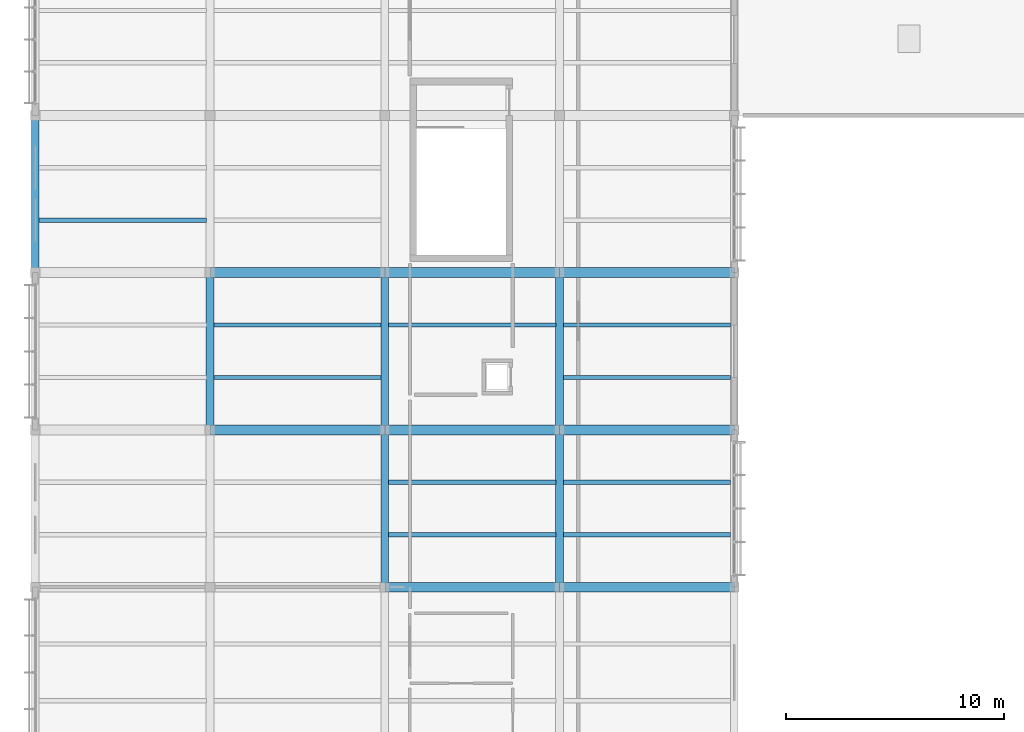
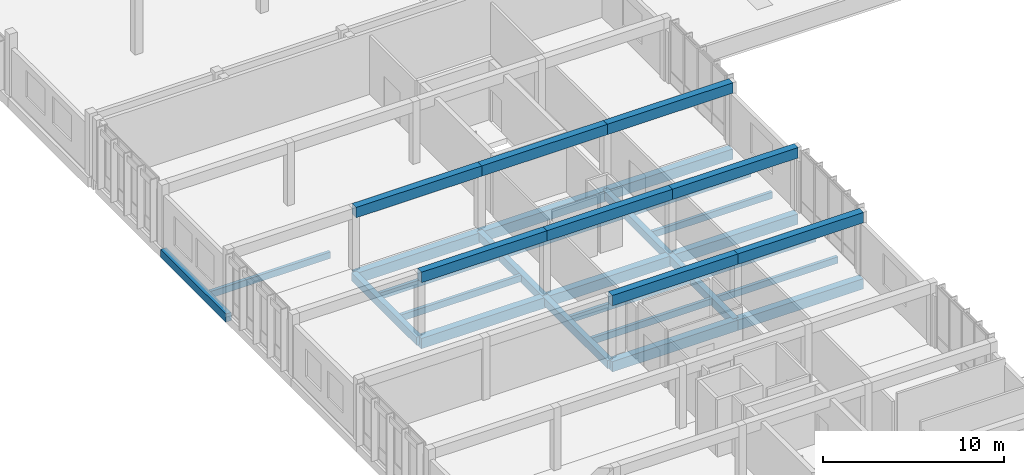
# One storey, part 24 of 107: 32 beams.
"""IFC4 building model written with IfcOpenShell, lengths in metres."""

from ifc_helpers import new_model, si_unit, direction, frame, origin, origin_2d, place, context, subcontext, project, spatial, rectangle, extrude, material, material_profile, profile_set, type_object, element, save


model = new_model("IFC4")

# Units and contexts
model_context = context("Model", 3, precision=1e-05, world=origin(), true_north=direction((0.0, 1.0)))
body_context = subcontext(model_context, "Body", "Model", "MODEL_VIEW")
ifc_project = project(units=[si_unit("LENGTHUNIT", "METRE"), si_unit("AREAUNIT", "SQUARE_METRE"), si_unit("VOLUMEUNIT", "CUBIC_METRE"), si_unit("PLANEANGLEUNIT", "RADIAN"), si_unit("MASSUNIT", "GRAM", prefix="KILO")], contexts=[model_context])

# Site, building, storey
site_placement = place(None, origin())
site = spatial("IfcSite", under=ifc_project, at=site_placement, CompositionType="ELEMENT")
building_placement = place(site_placement, origin())
building = spatial("IfcBuilding", under=site, at=building_placement, Name="Chiffa Square Polytechnic", CompositionType="ELEMENT")
storey_placement = place(building_placement, frame((0.0, 0.0, 13.800048828125)))
storey = spatial("IfcBuildingStorey", under=building, at=storey_placement, Name="L03", CompositionType="ELEMENT", Elevation=13.800048828125)

# Beams
ifc_material_1 = material(Name="Concrete C35/45", Category="concrete")
ifc_material_profile_1 = material_profile(ifc_material_1, rectangle(XDim=0.35009765625, YDim=0.550048828125, at=origin_2d()), Name="RC 350x550")
ifc_profile_set_1 = profile_set([ifc_material_profile_1], Name="Concrete C35/45")
beam_type_1 = type_object("IfcBeamType", Name="BM-RC-350X550", PredefinedType="BEAM", material=ifc_profile_set_1)
for number, where, z_axis, x_axis, name in (
    (1, (0.0, 79.800048828125, -0.53515625), (0.0, 1.0, 0.0), (-1.0, 0.0, 0.0), "Primary floor girder BM-V6-L03-Y-0000-0798"),
    (2, (8.0, 72.60009765625, -0.53515625), (0.0, 1.0, 0.0), (-1.0, 0.0, 0.0), "Primary floor girder BM-V6-L03-Y-0080-0726"),
):
    element("IfcBeam", number, at=place(storey_placement, frame(where, z_axis=z_axis, x_axis=x_axis)), inside=storey, type_object=beam_type_1, Name=name, PredefinedType="BEAM", context=body_context, shape_type="SweptSolid", body=[
        extrude(rectangle(XDim=0.35009765625, YDim=0.550048828125, at=origin_2d()), origin(), (0.0, 0.0, 1.0), 7.199951171875),
    ])
beam_1_placement = place(storey_placement, frame((16.0, 65.39990234375, -0.53515625), z_axis=(0.0, 1.0, 0.0), x_axis=(-1.0, 0.0, 0.0)))
element("IfcBeam", 3, at=beam_1_placement, inside=storey, type_object=beam_type_1, Name="Primary floor girder BM-V6-L03-Y-0160-0654", PredefinedType="BEAM", context=body_context, shape_type="SweptSolid", body=[
    extrude(rectangle(XDim=0.35009765625, YDim=0.550048828125, at=origin_2d()), origin(), (0.0, 0.0, 1.0), 7.2001953125),
])
beam_2_placement = place(storey_placement, frame((16.0, 72.60009765625, -0.53515625), z_axis=(0.0, 1.0, 0.0), x_axis=(-1.0, 0.0, 0.0)))
element("IfcBeam", 4, at=beam_2_placement, inside=storey, type_object=beam_type_1, Name="Primary floor girder BM-V6-L03-Y-0160-0726", PredefinedType="BEAM", context=body_context, shape_type="SweptSolid", body=[
    extrude(rectangle(XDim=0.35009765625, YDim=0.550048828125, at=origin_2d()), origin(), (0.0, 0.0, 1.0), 7.199951171875),
])
beam_3_placement = place(storey_placement, frame((24.0, 65.39990234375, -0.53515625), z_axis=(0.0, 1.0, 0.0), x_axis=(-1.0, 0.0, 0.0)))
element("IfcBeam", 5, at=beam_3_placement, inside=storey, type_object=beam_type_1, Name="Primary floor girder BM-V6-L03-Y-0240-0654", PredefinedType="BEAM", context=body_context, shape_type="SweptSolid", body=[
    extrude(rectangle(XDim=0.35009765625, YDim=0.550048828125, at=origin_2d()), origin(), (0.0, 0.0, 1.0), 7.2001953125),
])
beam_4_placement = place(storey_placement, frame((24.0, 72.60009765625, -0.53515625), z_axis=(0.0, 1.0, 0.0), x_axis=(-1.0, 0.0, 0.0)))
element("IfcBeam", 6, at=beam_4_placement, inside=storey, type_object=beam_type_1, Name="Primary floor girder BM-V6-L03-Y-0240-0726", PredefinedType="BEAM", context=body_context, shape_type="SweptSolid", body=[
    extrude(rectangle(XDim=0.35009765625, YDim=0.550048828125, at=origin_2d()), origin(), (0.0, 0.0, 1.0), 7.199951171875),
])
ifc_material_profile_2 = material_profile(ifc_material_1, rectangle(XDim=0.449951171875, YDim=0.699951171875, at=origin_2d()), Name="RC 450x700")
ifc_profile_set_2 = profile_set([ifc_material_profile_2], Name="Concrete C35/45")
beam_type_2 = type_object("IfcBeamType", Name="BM-RC-450X700", PredefinedType="BEAM", material=ifc_profile_set_2)
for number, where, z_axis, x_axis, name in (
    (7, (16.0, 65.39990234375, -0.610107421875), (1.0, 0.0, 0.0), (0.0, 1.0, 0.0), "Primary floor girder BM-V6-L03-X-0160-0654"),
    (8, (24.0, 65.39990234375, -0.610107421875), (1.0, 0.0, 0.0), (0.0, 1.0, 0.0), "Primary floor girder BM-V6-L03-X-0240-0654"),
    (9, (8.0, 72.60009765625, -0.610107421875), (1.0, 0.0, 0.0), (0.0, 1.0, 0.0), "Primary floor girder BM-V6-L03-X-0080-0726"),
    (10, (16.0, 72.60009765625, -0.610107421875), (1.0, 0.0, 0.0), (0.0, 1.0, 0.0), "Primary floor girder BM-V6-L03-X-0160-0726"),
    (11, (24.0, 72.60009765625, -0.610107421875), (1.0, 0.0, 0.0), (0.0, 1.0, 0.0), "Primary floor girder BM-V6-L03-X-0240-0726"),
    (12, (8.0, 79.800048828125, -0.610107421875), (1.0, 0.0, 0.0), (0.0, 1.0, 0.0), "Primary floor girder BM-V6-L03-X-0080-0798"),
    (13, (16.0, 79.800048828125, -0.610107421875), (1.0, 0.0, 0.0), (0.0, 1.0, 0.0), "Primary floor girder BM-V6-L03-X-0160-0798"),
    (14, (24.0, 79.800048828125, -0.610107421875), (1.0, 0.0, 0.0), (0.0, 1.0, 0.0), "Primary floor girder BM-V6-L03-X-0240-0798"),
    (15, (16.0, 65.39990234375, 3.849853515625), (1.0, 0.0, 0.0), (0.0, 1.0, 0.0), "Sawtooth monitor sill beam BM-V6-SAWTIE-Y4-3"),
    (16, (24.0, 65.39990234375, 3.849853515625), (1.0, 0.0, 0.0), (0.0, 1.0, 0.0), "Sawtooth monitor sill beam BM-V6-SAWTIE-Y4-4"),
    (17, (8.0, 72.60009765625, 3.849853515625), (1.0, 0.0, 0.0), (0.0, 1.0, 0.0), "Sawtooth monitor sill beam BM-V6-SAWTIE-Y5-2"),
    (18, (16.0, 72.60009765625, 3.849853515625), (1.0, 0.0, 0.0), (0.0, 1.0, 0.0), "Sawtooth monitor sill beam BM-V6-SAWTIE-Y5-3"),
    (19, (24.0, 72.60009765625, 3.849853515625), (1.0, 0.0, 0.0), (0.0, 1.0, 0.0), "Sawtooth monitor sill beam BM-V6-SAWTIE-Y5-4"),
    (20, (8.0, 79.800048828125, 3.849853515625), (1.0, 0.0, 0.0), (0.0, 1.0, 0.0), "Sawtooth monitor sill beam BM-V6-SAWTIE-Y6-2"),
    (21, (16.0, 79.800048828125, 3.849853515625), (1.0, 0.0, 0.0), (0.0, 1.0, 0.0), "Sawtooth monitor sill beam BM-V6-SAWTIE-Y6-3"),
    (22, (24.0, 79.800048828125, 3.849853515625), (1.0, 0.0, 0.0), (0.0, 1.0, 0.0), "Sawtooth monitor sill beam BM-V6-SAWTIE-Y6-4"),
):
    element("IfcBeam", number, at=place(storey_placement, frame(where, z_axis=z_axis, x_axis=x_axis)), inside=storey, type_object=beam_type_2, Name=name, PredefinedType="BEAM", context=body_context, shape_type="SweptSolid", body=[
        extrude(rectangle(XDim=0.449951171875, YDim=0.699951171875, at=origin_2d()), origin(), (0.0, 0.0, 1.0), 8.0),
    ])
ifc_material_2 = material(Name="Glulam GL28h", Category="wood")
ifc_material_profile_3 = material_profile(ifc_material_2, rectangle(XDim=0.199951171875, YDim=0.43994140625, at=origin_2d()), Name="GL28h 200x440")
ifc_profile_set_3 = profile_set([ifc_material_profile_3], Name="Glulam GL28h")
beam_type_3 = type_object("IfcBeamType", Name="JST-GL-200X440", PredefinedType="JOIST", material=ifc_profile_set_3)
for number, where, z_axis, x_axis, name in (
    (23, (0.173095703125, 82.199951171875, -0.47998046875), (1.0, 0.0, 0.0), (0.0, 1.0, 0.0), "Secondary floor joist JST-V6-L03-0000-0822"),
    (24, (8.173095703125, 75.0, -0.47998046875), (1.0, 0.0, 0.0), (0.0, 1.0, 0.0), "Secondary floor joist JST-V6-L03-0080-0750"),
    (25, (8.173095703125, 77.39990234375, -0.47998046875), (1.0, 0.0, 0.0), (0.0, 1.0, 0.0), "Secondary floor joist JST-V6-L03-0080-0774"),
    (26, (16.173095703125, 67.800048828125, -0.47998046875), (1.0, 0.0, 0.0), (0.0, 1.0, 0.0), "Secondary floor joist JST-V6-L03-0160-0678"),
    (27, (16.173095703125, 70.199951171875, -0.47998046875), (1.0, 0.0, 0.0), (0.0, 1.0, 0.0), "Secondary floor joist JST-V6-L03-0160-0702"),
    (28, (16.173095703125, 77.39990234375, -0.47998046875), (1.0, 0.0, 0.0), (0.0, 1.0, 0.0), "Secondary floor joist JST-V6-L03-0160-0774"),
    (29, (24.173095703125, 67.800048828125, -0.47998046875), (1.0, 0.0, 0.0), (0.0, 1.0, 0.0), "Secondary floor joist JST-V6-L03-0240-0678"),
    (30, (24.173095703125, 70.199951171875, -0.47998046875), (1.0, 0.0, 0.0), (0.0, 1.0, 0.0), "Secondary floor joist JST-V6-L03-0240-0702"),
    (31, (24.173095703125, 75.0, -0.47998046875), (1.0, 0.0, 0.0), (0.0, 1.0, 0.0), "Secondary floor joist JST-V6-L03-0240-0750"),
    (32, (24.173095703125, 77.39990234375, -0.47998046875), (1.0, 0.0, 0.0), (0.0, 1.0, 0.0), "Secondary floor joist JST-V6-L03-0240-0774"),
):
    element("IfcBeam", number, at=place(storey_placement, frame(where, z_axis=z_axis, x_axis=x_axis)), inside=storey, type_object=beam_type_3, Name=name, PredefinedType="JOIST", context=body_context, shape_type="SweptSolid", body=[
        extrude(rectangle(XDim=0.199951171875, YDim=0.43994140625, at=origin_2d()), origin(), (0.0, 0.0, 1.0), 7.65380859375),
    ])

save(model, "model.ifc")
